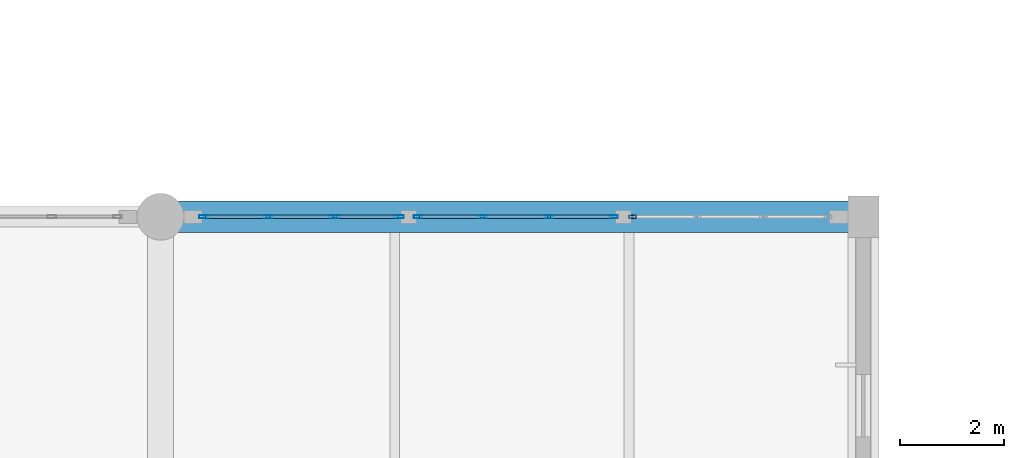
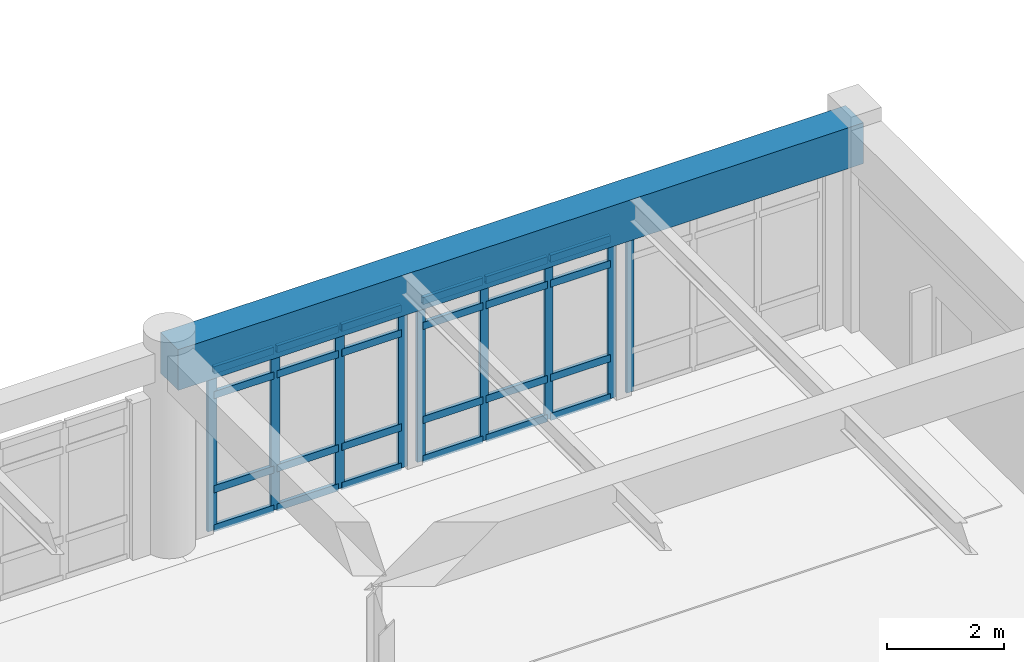
# One storey, part 35 of 80: 33 members, 1 beam, 3 elements without a shape of their own.
"""IFC4 building model written with IfcOpenShell, lengths in metres."""

from ifc_helpers import new_model, si_unit, direction, frame, origin, origin_2d, place, context, subcontext, project, spatial, rectangle, hollow_rectangle, extrude, material, layer, layer_set, material_profile, profile_set, type_object, element, aggregate, save


model = new_model("IFC4")

# Units and contexts
model_context = context("Model", 3, precision=1e-05, world=origin(), true_north=direction((0.0, 1.0)))
body_context = subcontext(model_context, "Body", "Model", "MODEL_VIEW")
ifc_project = project(units=[si_unit("LENGTHUNIT", "METRE"), si_unit("AREAUNIT", "SQUARE_METRE"), si_unit("VOLUMEUNIT", "CUBIC_METRE"), si_unit("PLANEANGLEUNIT", "RADIAN"), si_unit("MASSUNIT", "GRAM", prefix="KILO")], contexts=[model_context])

# Site, building, storey
site_placement = place(None, origin())
site = spatial("IfcSite", under=ifc_project, at=site_placement, CompositionType="ELEMENT")
building_placement = place(site_placement, origin())
building = spatial("IfcBuilding", under=site, at=building_placement, Name="Fikremerkos Civic Library", CompositionType="ELEMENT")
storey_placement = place(building_placement, frame((0.0, 0.0, 9.89990234375)))
storey = spatial("IfcBuildingStorey", under=building, at=storey_placement, Name="L02", CompositionType="ELEMENT", Elevation=9.89990234375)

# Curtain wall, members
ifc_material_1 = material(Name="Anodized aluminium Frame", Category="aluminium")
ifc_layer_1 = layer(ifc_material_1, 0.159912109375, Name="Anodized aluminium Frame")
ifc_layer_set_1 = layer_set([ifc_layer_1], Name="Anodized aluminium Frame")
curtain_wall_type_1 = type_object("IfcCurtainWallType", Name="Unitised curtain wall CW-01 3600x3600", PredefinedType="USERDEFINED", material=ifc_layer_set_1)
curtain_wall_1_placement = place(storey_placement, origin())
curtain_wall_1 = element("IfcCurtainWall", 1, at=curtain_wall_1_placement, inside=storey, type_object=curtain_wall_type_1, Name="Unitised curtain wall CW-01 L02 #163", ObjectType="UNITISED CURTAIN WALL", PredefinedType="USERDEFINED")
ifc_material_profile_1 = material_profile(ifc_material_1, hollow_rectangle(XDim=0.06494140625, YDim=0.179931640625, WallThickness=0.00439453125, at=origin_2d()), Name="ALU 180x65x4.5")
ifc_profile_set_1 = profile_set([ifc_material_profile_1], Name="Anodized aluminium Frame")
member_type_1 = type_object("IfcMemberType", Name="Curtain mullion CWM-01 ALU 180x65x4.5", PredefinedType="MULLION", material=ifc_profile_set_1)
member_1_placement = place(storey_placement, frame((87.530517578125, 48.0, 0.0), z_axis=(0.0, 0.0, 1.0), x_axis=(0.0, 1.0, 0.0)))
member_1 = element("IfcMember", 2, at=member_1_placement, type_object=member_type_1, Name="CW-01 mullion 1", PredefinedType="MULLION", context=body_context, shape_type="SweptSolid", body=[
    extrude(hollow_rectangle(XDim=0.06494140625, YDim=0.179931640625, WallThickness=0.00439453125, at=origin_2d()), origin(), (0.0, 0.0, 1.0), 3.360107421875),
])
member_2_placement = place(storey_placement, frame((88.770751953125, 48.0, 0.0), z_axis=(0.0, 0.0, 1.0), x_axis=(0.0, 1.0, 0.0)))
member_2 = element("IfcMember", 3, at=member_2_placement, type_object=member_type_1, Name="CW-01 mullion 2", PredefinedType="MULLION", context=body_context, shape_type="SweptSolid", body=[
    extrude(hollow_rectangle(XDim=0.06494140625, YDim=0.179931640625, WallThickness=0.00439453125, at=origin_2d()), origin(), (0.0, 0.0, 1.0), 3.360107421875),
])
member_3_placement = place(storey_placement, frame((90.043212890625, 48.0, 0.0), z_axis=(0.0, 0.0, 1.0), x_axis=(0.0, 1.0, 0.0)))
member_3 = element("IfcMember", 4, at=member_3_placement, type_object=member_type_1, Name="CW-01 mullion 3", PredefinedType="MULLION", context=body_context, shape_type="SweptSolid", body=[
    extrude(hollow_rectangle(XDim=0.06494140625, YDim=0.179931640625, WallThickness=0.00439453125, at=origin_2d()), origin(), (0.0, 0.0, 1.0), 3.360107421875),
])
member_4_placement = place(storey_placement, frame((91.283447265625, 48.0, 0.0), z_axis=(0.0, 0.0, 1.0), x_axis=(0.0, 1.0, 0.0)))
member_4 = element("IfcMember", 5, at=member_4_placement, type_object=member_type_1, Name="CW-01 mullion 4", PredefinedType="MULLION", context=body_context, shape_type="SweptSolid", body=[
    extrude(hollow_rectangle(XDim=0.06494140625, YDim=0.179931640625, WallThickness=0.00439453125, at=origin_2d()), origin(), (0.0, 0.0, 1.0), 3.360107421875),
])

ifc_layer_2 = layer(ifc_material_1, 0.159912109375, Name="Anodized aluminium Frame")
ifc_layer_set_2 = layer_set([ifc_layer_2], Name="Anodized aluminium Frame")
curtain_wall_type_2 = type_object("IfcCurtainWallType", Name="Unitised curtain wall CW-02 3900x3600", PredefinedType="USERDEFINED", material=ifc_layer_set_2)
curtain_wall_2_placement = place(storey_placement, origin())
curtain_wall_2 = element("IfcCurtainWall", 6, at=curtain_wall_2_placement, inside=storey, type_object=curtain_wall_type_2, Name="Unitised curtain wall CW-02 L02 #164", ObjectType="UNITISED CURTAIN WALL", PredefinedType="USERDEFINED")
ifc_material_profile_2 = material_profile(ifc_material_1, hollow_rectangle(XDim=0.06005859375, YDim=0.159912109375, WallThickness=0.00390625, at=origin_2d()), Name="ALU 160x60x4")
ifc_profile_set_2 = profile_set([ifc_material_profile_2], Name="Anodized aluminium Frame")
member_type_2 = type_object("IfcMemberType", Name="Curtain mullion CWM-02 ALU 160x60x4", PredefinedType="MULLION", material=ifc_profile_set_2)
member_5_placement = place(storey_placement, frame((91.64599609375, 48.0, 0.0), z_axis=(0.0, 0.0, 1.0), x_axis=(0.0, 1.0, 0.0)))
member_5 = element("IfcMember", 7, at=member_5_placement, type_object=member_type_2, Name="CW-02 mullion 1", PredefinedType="MULLION", context=body_context, shape_type="SweptSolid", body=[
    extrude(hollow_rectangle(XDim=0.06005859375, YDim=0.159912109375, WallThickness=0.00390625, at=origin_2d()), origin(), (0.0, 0.0, 1.0), 3.360107421875),
])
member_6_placement = place(storey_placement, frame((92.888671875, 48.0, 0.0), z_axis=(0.0, 0.0, 1.0), x_axis=(0.0, 1.0, 0.0)))
member_6 = element("IfcMember", 8, at=member_6_placement, type_object=member_type_2, Name="CW-02 mullion 2", PredefinedType="MULLION", context=body_context, shape_type="SweptSolid", body=[
    extrude(hollow_rectangle(XDim=0.06005859375, YDim=0.159912109375, WallThickness=0.00390625, at=origin_2d()), origin(), (0.0, 0.0, 1.0), 3.360107421875),
])
member_7_placement = place(storey_placement, frame((94.161376953125, 48.0, 0.0), z_axis=(0.0, 0.0, 1.0), x_axis=(0.0, 1.0, 0.0)))
member_7 = element("IfcMember", 9, at=member_7_placement, type_object=member_type_2, Name="CW-02 mullion 3", PredefinedType="MULLION", context=body_context, shape_type="SweptSolid", body=[
    extrude(hollow_rectangle(XDim=0.06005859375, YDim=0.159912109375, WallThickness=0.00390625, at=origin_2d()), origin(), (0.0, 0.0, 1.0), 3.360107421875),
])
member_8_placement = place(storey_placement, frame((95.404052734375, 48.0, 0.0), z_axis=(0.0, 0.0, 1.0), x_axis=(0.0, 1.0, 0.0)))
member_8 = element("IfcMember", 10, at=member_8_placement, type_object=member_type_2, Name="CW-02 mullion 4", PredefinedType="MULLION", context=body_context, shape_type="SweptSolid", body=[
    extrude(hollow_rectangle(XDim=0.06005859375, YDim=0.159912109375, WallThickness=0.00390625, at=origin_2d()), origin(), (0.0, 0.0, 1.0), 3.360107421875),
])

# Curtain wall, member
ifc_layer_3 = layer(ifc_material_1, 0.159912109375, Name="Anodized aluminium Frame")
ifc_layer_set_3 = layer_set([ifc_layer_3], Name="Anodized aluminium Frame")
curtain_wall_type_3 = type_object("IfcCurtainWallType", Name="Unitised curtain wall CW-03 4100x3600", PredefinedType="USERDEFINED", material=ifc_layer_set_3)
curtain_wall_3_placement = place(storey_placement, origin())
curtain_wall_3 = element("IfcCurtainWall", 11, at=curtain_wall_3_placement, inside=storey, type_object=curtain_wall_type_3, Name="Unitised curtain wall CW-03 L02 #165", ObjectType="UNITISED CURTAIN WALL", PredefinedType="USERDEFINED")
ifc_material_profile_3 = material_profile(ifc_material_1, hollow_rectangle(XDim=0.06005859375, YDim=0.139892578125, WallThickness=0.00390625, at=origin_2d()), Name="ALU 140x60x4")
ifc_profile_set_3 = profile_set([ifc_material_profile_3], Name="Anodized aluminium Frame")
member_type_3 = type_object("IfcMemberType", Name="Curtain mullion CWM-03 ALU 140x60x4", PredefinedType="MULLION", material=ifc_profile_set_3)
member_9_placement = place(storey_placement, frame((95.763916015625, 48.0, 0.0), z_axis=(0.0, 0.0, 1.0), x_axis=(0.0, 1.0, 0.0)))
member_9 = element("IfcMember", 12, at=member_9_placement, type_object=member_type_3, Name="CW-03 mullion 1", PredefinedType="MULLION", context=body_context, shape_type="SweptSolid", body=[
    extrude(hollow_rectangle(XDim=0.06005859375, YDim=0.139892578125, WallThickness=0.00390625, at=origin_2d()), origin(), (0.0, 0.0, 1.0), 3.360107421875),
])
aggregate(curtain_wall_3, [member_9])

# Member
ifc_material_profile_4 = material_profile(ifc_material_1, hollow_rectangle(XDim=0.070068359375, YDim=0.14990234375, WallThickness=0.00439453125, at=origin_2d()), Name="ALU 150x70x4.5")
ifc_profile_set_4 = profile_set([ifc_material_profile_4], Name="Anodized aluminium Frame")
member_type_4 = type_object("IfcMemberType", Name="Curtain transom CWT-01 ALU 150x70x4.5", PredefinedType="USERDEFINED", material=ifc_profile_set_4)
member_10_placement = place(storey_placement, frame((87.56298828125, 48.0, 0.03515625), z_axis=(1.0, 0.0, 0.0), x_axis=(0.0, 1.0, 0.0)))
member_10 = element("IfcMember", 13, at=member_10_placement, type_object=member_type_4, Name="CW-01 transom 1.1", ObjectType="TRANSOM", PredefinedType="USERDEFINED", context=body_context, shape_type="SweptSolid", body=[
    extrude(hollow_rectangle(XDim=0.070068359375, YDim=0.14990234375, WallThickness=0.00439453125, at=origin_2d()), origin(), (0.0, 0.0, 1.0), 1.17529296875),
])

member_11_placement = place(storey_placement, frame((87.56298828125, 48.0, 0.85009765625), z_axis=(1.0, 0.0, 0.0), x_axis=(0.0, 1.0, 0.0)))
member_11 = element("IfcMember", 14, at=member_11_placement, type_object=member_type_4, Name="CW-01 transom 1.2", ObjectType="TRANSOM", PredefinedType="USERDEFINED", context=body_context, shape_type="SweptSolid", body=[
    extrude(hollow_rectangle(XDim=0.070068359375, YDim=0.14990234375, WallThickness=0.00439453125, at=origin_2d()), origin(), (0.0, 0.0, 1.0), 1.17529296875),
])

member_12_placement = place(storey_placement, frame((87.56298828125, 48.0, 2.81005859375), z_axis=(1.0, 0.0, 0.0), x_axis=(0.0, 1.0, 0.0)))
member_12 = element("IfcMember", 15, at=member_12_placement, type_object=member_type_4, Name="CW-01 transom 1.3", ObjectType="TRANSOM", PredefinedType="USERDEFINED", context=body_context, shape_type="SweptSolid", body=[
    extrude(hollow_rectangle(XDim=0.070068359375, YDim=0.14990234375, WallThickness=0.00439453125, at=origin_2d()), origin(), (0.0, 0.0, 1.0), 1.17529296875),
])

member_13_placement = place(storey_placement, frame((87.56298828125, 48.0, 3.3251953125), z_axis=(1.0, 0.0, 0.0), x_axis=(0.0, 1.0, 0.0)))
member_13 = element("IfcMember", 16, at=member_13_placement, type_object=member_type_4, Name="CW-01 transom 1.4", ObjectType="TRANSOM", PredefinedType="USERDEFINED", context=body_context, shape_type="SweptSolid", body=[
    extrude(hollow_rectangle(XDim=0.070068359375, YDim=0.14990234375, WallThickness=0.00439453125, at=origin_2d()), origin(), (0.0, 0.0, 1.0), 1.17529296875),
])

member_14_placement = place(storey_placement, frame((88.80322265625, 48.0, 0.03515625), z_axis=(1.0, 0.0, 0.0), x_axis=(0.0, 1.0, 0.0)))
member_14 = element("IfcMember", 17, at=member_14_placement, type_object=member_type_4, Name="CW-01 transom 2.1", ObjectType="TRANSOM", PredefinedType="USERDEFINED", context=body_context, shape_type="SweptSolid", body=[
    extrude(hollow_rectangle(XDim=0.070068359375, YDim=0.14990234375, WallThickness=0.00439453125, at=origin_2d()), origin(), (0.0, 0.0, 1.0), 1.20751953125),
])

member_15_placement = place(storey_placement, frame((88.80322265625, 48.0, 0.85009765625), z_axis=(1.0, 0.0, 0.0), x_axis=(0.0, 1.0, 0.0)))
member_15 = element("IfcMember", 18, at=member_15_placement, type_object=member_type_4, Name="CW-01 transom 2.2", ObjectType="TRANSOM", PredefinedType="USERDEFINED", context=body_context, shape_type="SweptSolid", body=[
    extrude(hollow_rectangle(XDim=0.070068359375, YDim=0.14990234375, WallThickness=0.00439453125, at=origin_2d()), origin(), (0.0, 0.0, 1.0), 1.20751953125),
])

member_16_placement = place(storey_placement, frame((88.80322265625, 48.0, 2.81005859375), z_axis=(1.0, 0.0, 0.0), x_axis=(0.0, 1.0, 0.0)))
member_16 = element("IfcMember", 19, at=member_16_placement, type_object=member_type_4, Name="CW-01 transom 2.3", ObjectType="TRANSOM", PredefinedType="USERDEFINED", context=body_context, shape_type="SweptSolid", body=[
    extrude(hollow_rectangle(XDim=0.070068359375, YDim=0.14990234375, WallThickness=0.00439453125, at=origin_2d()), origin(), (0.0, 0.0, 1.0), 1.20751953125),
])

member_17_placement = place(storey_placement, frame((88.80322265625, 48.0, 3.3251953125), z_axis=(1.0, 0.0, 0.0), x_axis=(0.0, 1.0, 0.0)))
member_17 = element("IfcMember", 20, at=member_17_placement, type_object=member_type_4, Name="CW-01 transom 2.4", ObjectType="TRANSOM", PredefinedType="USERDEFINED", context=body_context, shape_type="SweptSolid", body=[
    extrude(hollow_rectangle(XDim=0.070068359375, YDim=0.14990234375, WallThickness=0.00439453125, at=origin_2d()), origin(), (0.0, 0.0, 1.0), 1.20751953125),
])

member_18_placement = place(storey_placement, frame((90.075927734375, 48.0, 0.03515625), z_axis=(1.0, 0.0, 0.0), x_axis=(0.0, 1.0, 0.0)))
member_18 = element("IfcMember", 21, at=member_18_placement, type_object=member_type_4, Name="CW-01 transom 3.1", ObjectType="TRANSOM", PredefinedType="USERDEFINED", context=body_context, shape_type="SweptSolid", body=[
    extrude(hollow_rectangle(XDim=0.070068359375, YDim=0.14990234375, WallThickness=0.00439453125, at=origin_2d()), origin(), (0.0, 0.0, 1.0), 1.175048828125),
])

member_19_placement = place(storey_placement, frame((90.075927734375, 48.0, 0.85009765625), z_axis=(1.0, 0.0, 0.0), x_axis=(0.0, 1.0, 0.0)))
member_19 = element("IfcMember", 22, at=member_19_placement, type_object=member_type_4, Name="CW-01 transom 3.2", ObjectType="TRANSOM", PredefinedType="USERDEFINED", context=body_context, shape_type="SweptSolid", body=[
    extrude(hollow_rectangle(XDim=0.070068359375, YDim=0.14990234375, WallThickness=0.00439453125, at=origin_2d()), origin(), (0.0, 0.0, 1.0), 1.175048828125),
])

member_20_placement = place(storey_placement, frame((90.075927734375, 48.0, 2.81005859375), z_axis=(1.0, 0.0, 0.0), x_axis=(0.0, 1.0, 0.0)))
member_20 = element("IfcMember", 23, at=member_20_placement, type_object=member_type_4, Name="CW-01 transom 3.3", ObjectType="TRANSOM", PredefinedType="USERDEFINED", context=body_context, shape_type="SweptSolid", body=[
    extrude(hollow_rectangle(XDim=0.070068359375, YDim=0.14990234375, WallThickness=0.00439453125, at=origin_2d()), origin(), (0.0, 0.0, 1.0), 1.175048828125),
])

member_21_placement = place(storey_placement, frame((90.075927734375, 48.0, 3.3251953125), z_axis=(1.0, 0.0, 0.0), x_axis=(0.0, 1.0, 0.0)))
member_21 = element("IfcMember", 24, at=member_21_placement, type_object=member_type_4, Name="CW-01 transom 3.4", ObjectType="TRANSOM", PredefinedType="USERDEFINED", context=body_context, shape_type="SweptSolid", body=[
    extrude(hollow_rectangle(XDim=0.070068359375, YDim=0.14990234375, WallThickness=0.00439453125, at=origin_2d()), origin(), (0.0, 0.0, 1.0), 1.175048828125),
])

aggregate(curtain_wall_1, [member_1, member_2, member_3, member_4, member_10, member_11, member_12, member_13, member_14, member_15, member_16, member_17, member_18, member_19, member_20, member_21])

member_22_placement = place(storey_placement, frame((91.676025390625, 48.0, 0.03515625), z_axis=(1.0, 0.0, 0.0), x_axis=(0.0, 1.0, 0.0)))
member_22 = element("IfcMember", 25, at=member_22_placement, type_object=member_type_4, Name="CW-02 transom 1.1", ObjectType="TRANSOM", PredefinedType="USERDEFINED", context=body_context, shape_type="SweptSolid", body=[
    extrude(hollow_rectangle(XDim=0.070068359375, YDim=0.14990234375, WallThickness=0.00439453125, at=origin_2d()), origin(), (0.0, 0.0, 1.0), 1.1826171875),
])

member_23_placement = place(storey_placement, frame((91.676025390625, 48.0, 0.85009765625), z_axis=(1.0, 0.0, 0.0), x_axis=(0.0, 1.0, 0.0)))
member_23 = element("IfcMember", 26, at=member_23_placement, type_object=member_type_4, Name="CW-02 transom 1.2", ObjectType="TRANSOM", PredefinedType="USERDEFINED", context=body_context, shape_type="SweptSolid", body=[
    extrude(hollow_rectangle(XDim=0.070068359375, YDim=0.14990234375, WallThickness=0.00439453125, at=origin_2d()), origin(), (0.0, 0.0, 1.0), 1.1826171875),
])

member_24_placement = place(storey_placement, frame((91.676025390625, 48.0, 2.81005859375), z_axis=(1.0, 0.0, 0.0), x_axis=(0.0, 1.0, 0.0)))
member_24 = element("IfcMember", 27, at=member_24_placement, type_object=member_type_4, Name="CW-02 transom 1.3", ObjectType="TRANSOM", PredefinedType="USERDEFINED", context=body_context, shape_type="SweptSolid", body=[
    extrude(hollow_rectangle(XDim=0.070068359375, YDim=0.14990234375, WallThickness=0.00439453125, at=origin_2d()), origin(), (0.0, 0.0, 1.0), 1.1826171875),
])

member_25_placement = place(storey_placement, frame((91.676025390625, 48.0, 3.3251953125), z_axis=(1.0, 0.0, 0.0), x_axis=(0.0, 1.0, 0.0)))
member_25 = element("IfcMember", 28, at=member_25_placement, type_object=member_type_4, Name="CW-02 transom 1.4", ObjectType="TRANSOM", PredefinedType="USERDEFINED", context=body_context, shape_type="SweptSolid", body=[
    extrude(hollow_rectangle(XDim=0.070068359375, YDim=0.14990234375, WallThickness=0.00439453125, at=origin_2d()), origin(), (0.0, 0.0, 1.0), 1.1826171875),
])

member_26_placement = place(storey_placement, frame((92.918701171875, 48.0, 0.03515625), z_axis=(1.0, 0.0, 0.0), x_axis=(0.0, 1.0, 0.0)))
member_26 = element("IfcMember", 29, at=member_26_placement, type_object=member_type_4, Name="CW-02 transom 2.1", ObjectType="TRANSOM", PredefinedType="USERDEFINED", context=body_context, shape_type="SweptSolid", body=[
    extrude(hollow_rectangle(XDim=0.070068359375, YDim=0.14990234375, WallThickness=0.00439453125, at=origin_2d()), origin(), (0.0, 0.0, 1.0), 1.212646484375),
])

member_27_placement = place(storey_placement, frame((92.918701171875, 48.0, 0.85009765625), z_axis=(1.0, 0.0, 0.0), x_axis=(0.0, 1.0, 0.0)))
member_27 = element("IfcMember", 30, at=member_27_placement, type_object=member_type_4, Name="CW-02 transom 2.2", ObjectType="TRANSOM", PredefinedType="USERDEFINED", context=body_context, shape_type="SweptSolid", body=[
    extrude(hollow_rectangle(XDim=0.070068359375, YDim=0.14990234375, WallThickness=0.00439453125, at=origin_2d()), origin(), (0.0, 0.0, 1.0), 1.212646484375),
])

member_28_placement = place(storey_placement, frame((92.918701171875, 48.0, 2.81005859375), z_axis=(1.0, 0.0, 0.0), x_axis=(0.0, 1.0, 0.0)))
member_28 = element("IfcMember", 31, at=member_28_placement, type_object=member_type_4, Name="CW-02 transom 2.3", ObjectType="TRANSOM", PredefinedType="USERDEFINED", context=body_context, shape_type="SweptSolid", body=[
    extrude(hollow_rectangle(XDim=0.070068359375, YDim=0.14990234375, WallThickness=0.00439453125, at=origin_2d()), origin(), (0.0, 0.0, 1.0), 1.212646484375),
])

member_29_placement = place(storey_placement, frame((92.918701171875, 48.0, 3.3251953125), z_axis=(1.0, 0.0, 0.0), x_axis=(0.0, 1.0, 0.0)))
member_29 = element("IfcMember", 32, at=member_29_placement, type_object=member_type_4, Name="CW-02 transom 2.4", ObjectType="TRANSOM", PredefinedType="USERDEFINED", context=body_context, shape_type="SweptSolid", body=[
    extrude(hollow_rectangle(XDim=0.070068359375, YDim=0.14990234375, WallThickness=0.00439453125, at=origin_2d()), origin(), (0.0, 0.0, 1.0), 1.212646484375),
])

member_30_placement = place(storey_placement, frame((94.19140625, 48.0, 0.03515625), z_axis=(1.0, 0.0, 0.0), x_axis=(0.0, 1.0, 0.0)))
member_30 = element("IfcMember", 33, at=member_30_placement, type_object=member_type_4, Name="CW-02 transom 3.1", ObjectType="TRANSOM", PredefinedType="USERDEFINED", context=body_context, shape_type="SweptSolid", body=[
    extrude(hollow_rectangle(XDim=0.070068359375, YDim=0.14990234375, WallThickness=0.00439453125, at=origin_2d()), origin(), (0.0, 0.0, 1.0), 1.1826171875),
])

member_31_placement = place(storey_placement, frame((94.19140625, 48.0, 0.85009765625), z_axis=(1.0, 0.0, 0.0), x_axis=(0.0, 1.0, 0.0)))
member_31 = element("IfcMember", 34, at=member_31_placement, type_object=member_type_4, Name="CW-02 transom 3.2", ObjectType="TRANSOM", PredefinedType="USERDEFINED", context=body_context, shape_type="SweptSolid", body=[
    extrude(hollow_rectangle(XDim=0.070068359375, YDim=0.14990234375, WallThickness=0.00439453125, at=origin_2d()), origin(), (0.0, 0.0, 1.0), 1.1826171875),
])

member_32_placement = place(storey_placement, frame((94.19140625, 48.0, 2.81005859375), z_axis=(1.0, 0.0, 0.0), x_axis=(0.0, 1.0, 0.0)))
member_32 = element("IfcMember", 35, at=member_32_placement, type_object=member_type_4, Name="CW-02 transom 3.3", ObjectType="TRANSOM", PredefinedType="USERDEFINED", context=body_context, shape_type="SweptSolid", body=[
    extrude(hollow_rectangle(XDim=0.070068359375, YDim=0.14990234375, WallThickness=0.00439453125, at=origin_2d()), origin(), (0.0, 0.0, 1.0), 1.1826171875),
])

member_33_placement = place(storey_placement, frame((94.19140625, 48.0, 3.3251953125), z_axis=(1.0, 0.0, 0.0), x_axis=(0.0, 1.0, 0.0)))
member_33 = element("IfcMember", 36, at=member_33_placement, type_object=member_type_4, Name="CW-02 transom 3.4", ObjectType="TRANSOM", PredefinedType="USERDEFINED", context=body_context, shape_type="SweptSolid", body=[
    extrude(hollow_rectangle(XDim=0.070068359375, YDim=0.14990234375, WallThickness=0.00439453125, at=origin_2d()), origin(), (0.0, 0.0, 1.0), 1.1826171875),
])

aggregate(curtain_wall_2, [member_5, member_6, member_7, member_8, member_22, member_23, member_24, member_25, member_26, member_27, member_28, member_29, member_30, member_31, member_32, member_33])

# Beam
ifc_material_2 = material(Name="Concrete C40/50", Category="concrete")
ifc_material_profile_5 = material_profile(ifc_material_2, rectangle(XDim=0.60009765625, YDim=0.85009765625, at=origin_2d()), Name="RC 600x850")
ifc_profile_set_5 = profile_set([ifc_material_profile_5], Name="Concrete C40/50")
beam_type = type_object("IfcBeamType", Name="Primary girder BM-24 RC 600x850", PredefinedType="BEAM", material=ifc_profile_set_5)
beam_placement = place(storey_placement, frame((86.699951171875, 48.0, 3.795166015625), z_axis=(1.0, 0.0, 0.0), x_axis=(0.0, 1.0, 0.0)))
element("IfcBeam", 37, at=beam_placement, inside=storey, type_object=beam_type, Name="Primary girder BM-24 L02 grid J", PredefinedType="BEAM", context=body_context, shape_type="SweptSolid", body=[
    extrude(rectangle(XDim=0.60009765625, YDim=0.85009765625, at=origin_2d()), origin(), (0.0, 0.0, 1.0), 13.5),
])

save(model, "model.ifc")
